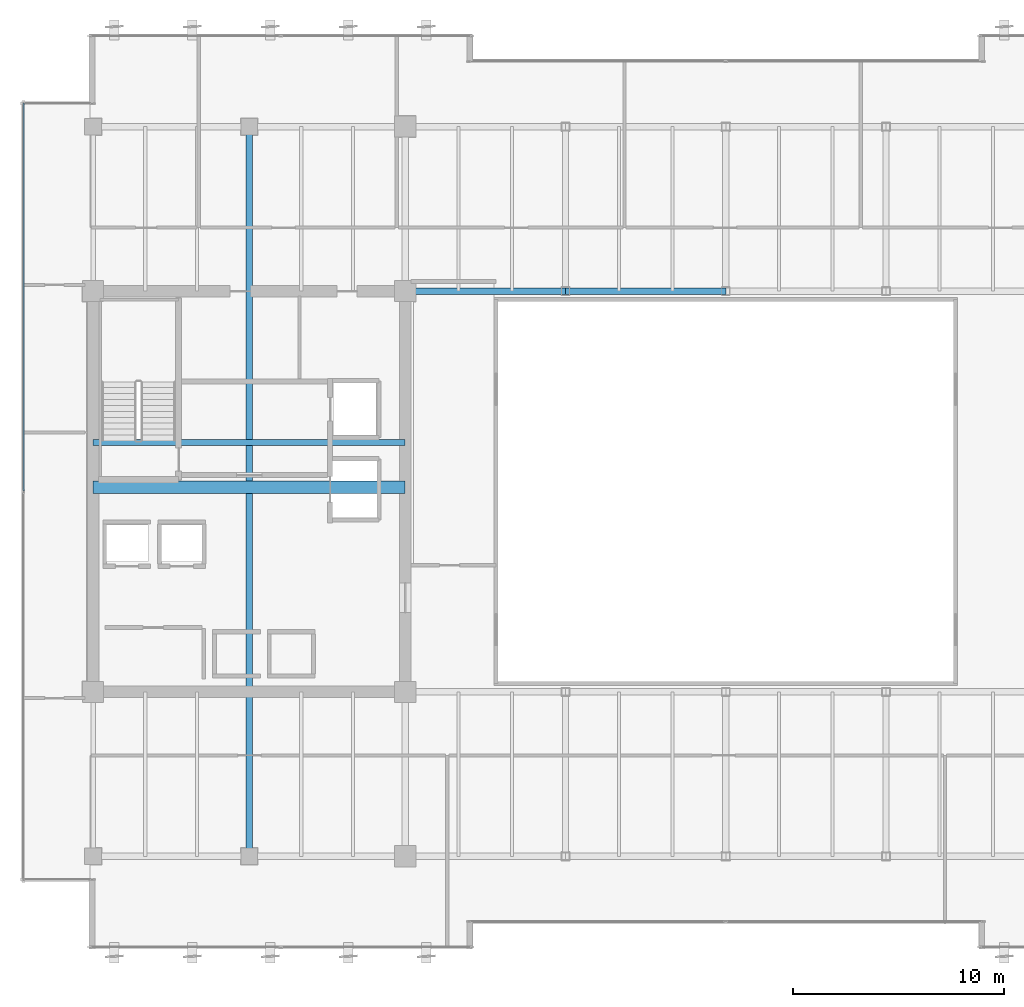
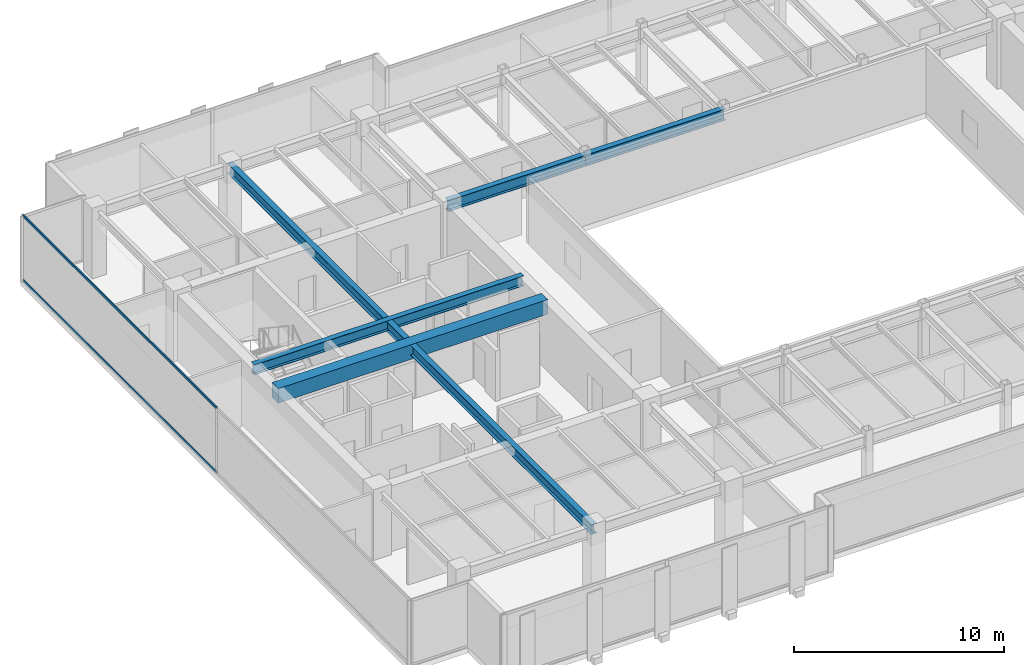
# One storey, part 10 of 35: 5 beams, 2 members, 1 element without a shape of its own.
"""IFC4 building model written with IfcOpenShell, lengths in metres."""

import ifcopenshell
import ifcopenshell.guid

model = None  # the IFC model being written
_history = None  # IfcOwnerHistory: only IFC2X3 demands one
_inside = {}  # id of a spatial element -> (the spatial element, [elements in it])
_under = {}  # id of a project, library or spatial element -> (it, [spatial elements below it])
_declared = {}  # id of a project -> (the project, [libraries it declares])
_typed = {}  # id of a type object -> (the type object, [elements of that type])
_made_of = {}  # id of a material, layer set ... -> (it, [elements and type objects made of it])


def new_model(schema):
    """Start an empty IFC model of exactly this schema.

    Asked for "IFC4X3", IfcOpenShell would pick the latest addendum, in which some entities
    have other attributes; the version numbers below select the first issue.
    IFC2X3 requires an IfcOwnerHistory on every rooted entity: one is made here for all.
    """
    global model, _history
    if schema == "IFC4X3":
        model = ifcopenshell.file(schema_version=(4, 3, 0, 0))
    else:
        model = ifcopenshell.file(schema=schema)
    _inside.clear()
    _under.clear()
    _declared.clear()
    _typed.clear()
    _made_of.clear()
    _history = None
    if model.schema == "IFC2X3":
        org = make("IfcOrganization", Name="unknown")
        user = make(
            "IfcPersonAndOrganization",
            ThePerson=make("IfcPerson", FamilyName="unknown"),
            TheOrganization=org,
        )
        app = make(
            "IfcApplication",
            ApplicationDeveloper=org,
            Version="unknown",
            ApplicationFullName="unknown",
            ApplicationIdentifier="unknown",
        )
        _history = make(
            "IfcOwnerHistory",
            OwningUser=user,
            OwningApplication=app,
            ChangeAction="ADDED",
            CreationDate=0,
        )
    return model


def make(cls, **values):
    """One entity of the class cls with the attributes given. An attribute that is None is left unset."""
    return model.create_entity(
        cls, **{name: value for name, value in values.items() if value is not None}
    )


def rooted(cls, **values):
    """An entity with a GlobalId (a new one), such as an element, a storey or a relation."""
    return make(cls, GlobalId=ifcopenshell.guid.new(), OwnerHistory=_history, **values)


def si_unit(unit_type, name, prefix=None):
    """IfcSIUnit, for example si_unit("LENGTHUNIT", "METRE", prefix="MILLI")."""
    return make("IfcSIUnit", UnitType=unit_type, Prefix=prefix, Name=name)


def assignment(units):
    """IfcUnitAssignment: the units of a project."""
    return None if units is None else make("IfcUnitAssignment", Units=units)


def point(xyz):
    """IfcCartesianPoint."""
    return None if xyz is None else make("IfcCartesianPoint", Coordinates=xyz)


def direction(xyz):
    """IfcDirection."""
    return None if xyz is None else make("IfcDirection", DirectionRatios=xyz)


def frame(location, z_axis=None, x_axis=None):
    """IfcAxis2Placement3D, a coordinate frame: its origin and axes. An axis left out is left unset."""
    return make(
        "IfcAxis2Placement3D",
        Location=point(location),
        Axis=direction(z_axis),
        RefDirection=direction(x_axis),
    )


def frame_2d(location, x_axis=None):
    """IfcAxis2Placement2D, a coordinate frame in the plane: its origin and x axis."""
    return make(
        "IfcAxis2Placement2D", Location=point(location), RefDirection=direction(x_axis)
    )


def origin():
    """The frame at (0, 0, 0) with its axes left unset."""
    return frame((0.0, 0.0, 0.0))


def origin_2d():
    """The frame at (0, 0) in the plane with its x axis left unset."""
    return frame_2d((0.0, 0.0))


def place(relative_to, where):
    """IfcLocalPlacement: puts the frame where relative to a parent placement (None: the world)."""
    return make(
        "IfcLocalPlacement", PlacementRelTo=relative_to, RelativePlacement=where
    )


def context(
    kind, dimensions, precision=None, world=None, true_north=None, identifier=None
):
    """IfcGeometricRepresentationContext, for example the 3D "Model" context."""
    return make(
        "IfcGeometricRepresentationContext",
        ContextIdentifier=identifier,
        ContextType=kind,
        CoordinateSpaceDimension=dimensions,
        Precision=precision,
        WorldCoordinateSystem=world,
        TrueNorth=true_north,
    )


def subcontext(parent, identifier, kind, view, scale=None):
    """IfcGeometricRepresentationSubContext, for example "Body" below "Model"."""
    return make(
        "IfcGeometricRepresentationSubContext",
        ContextIdentifier=identifier,
        ContextType=kind,
        ParentContext=parent,
        TargetScale=scale,
        TargetView=view,
    )


def project(units=None, contexts=None):
    """IfcProject with its units and contexts."""
    return rooted(
        "IfcProject",
        Name="project",
        RepresentationContexts=contexts,
        UnitsInContext=assignment(units),
    )


def spatial(cls, under=None, at=None, **own):
    """A site, building, storey or space (cls), placed at a placement, below another one or the project."""
    s = rooted(cls, ObjectPlacement=at, **own)
    if under is not None:
        _under.setdefault(under.id(), (under, []))[1].append(s)
    return s


def profile(cls, at=None, kind="AREA", **sizes):
    """A parametric profile (cls). Its sizes go by their IFC names, for example OverallWidth=200.0."""
    return make(cls, ProfileType=kind, Position=at, **sizes)


def rectangle(**sizes):
    """IfcRectangleProfileDef."""
    return profile("IfcRectangleProfileDef", **sizes)


def hollow_rectangle(**sizes):
    """IfcRectangleHollowProfileDef."""
    return profile("IfcRectangleHollowProfileDef", **sizes)


def i_section(**sizes):
    """IfcIShapeProfileDef."""
    return profile("IfcIShapeProfileDef", **sizes)


def extrude(swept, where, along, depth):
    """IfcExtrudedAreaSolid: the profile swept, set in the frame where, extruded along a direction by depth."""
    return make(
        "IfcExtrudedAreaSolid",
        SweptArea=swept,
        Position=where,
        ExtrudedDirection=direction(along),
        Depth=depth,
    )


def shape(context_of_items, identifier, shape_type, items):
    """IfcShapeRepresentation: the items that make up one representation, for example the "Body"."""
    return make(
        "IfcShapeRepresentation",
        ContextOfItems=context_of_items,
        RepresentationIdentifier=identifier,
        RepresentationType=shape_type,
        Items=items,
    )


def source(mapping_origin, context_of_items, identifier, shape_type, items):
    """IfcRepresentationMap: a shape defined once, which mapped items show again and again."""
    return make(
        "IfcRepresentationMap",
        MappingOrigin=mapping_origin,
        MappedRepresentation=shape(context_of_items, identifier, shape_type, items),
    )


def transform(
    local_origin,
    x_axis=None,
    y_axis=None,
    z_axis=None,
    scale=None,
    scale2=None,
    scale3=None,
    uniform=True,
):
    """IfcCartesianTransformationOperator3D, or its non-uniform kind. x_axis, y_axis, z_axis: its Axis1, 2, 3."""
    if uniform:
        return make(
            "IfcCartesianTransformationOperator3D",
            Axis1=direction(x_axis),
            Axis2=direction(y_axis),
            LocalOrigin=point(local_origin),
            Scale=scale,
            Axis3=direction(z_axis),
        )
    return make(
        "IfcCartesianTransformationOperator3DnonUniform",
        Axis1=direction(x_axis),
        Axis2=direction(y_axis),
        LocalOrigin=point(local_origin),
        Scale=scale,
        Axis3=direction(z_axis),
        Scale2=scale2,
        Scale3=scale3,
    )


def mapped(mapping_source, mapping_target):
    """IfcMappedItem: shows the shape of a source again, moved by a transform."""
    return make(
        "IfcMappedItem", MappingSource=mapping_source, MappingTarget=mapping_target
    )


def material(Name=None, Category=None):
    """IfcMaterial."""
    return make("IfcMaterial", Name=Name, Category=Category)


def layer(
    of_material, thickness, ventilated=None, Name=None, Category=None, Priority=None
):
    """IfcMaterialLayer: one layer of a wall or slab, of a material (None: an air gap)."""
    return make(
        "IfcMaterialLayer",
        Material=of_material,
        LayerThickness=thickness,
        IsVentilated=ventilated,
        Name=Name,
        Category=Category,
        Priority=Priority,
    )


def layer_set(layers, Name=None):
    """IfcMaterialLayerSet."""
    return make("IfcMaterialLayerSet", MaterialLayers=layers, LayerSetName=Name)


def material_profile(
    of_material, cross_section, Name=None, Category=None, Priority=None
):
    """IfcMaterialProfile: a cross section and its material."""
    return make(
        "IfcMaterialProfile",
        Name=Name,
        Material=of_material,
        Profile=cross_section,
        Priority=Priority,
        Category=Category,
    )


def profile_set(profiles, Name=None, composite=None):
    """IfcMaterialProfileSet."""
    return make(
        "IfcMaterialProfileSet",
        Name=Name,
        MaterialProfiles=profiles,
        CompositeProfile=composite,
    )


def made_of(thing, what):
    """Note that an element or type object is made of a material, layer set ...; save() writes the relation."""
    if what is not None:
        _made_of.setdefault(what.id(), (what, []))[1].append(thing)
    return thing


def type_object(cls, material=None, **own):
    """A type object (cls), such as IfcWallType, which elements share."""
    return made_of(rooted(cls, **own), material)


def type_shapes(of_type, sources):
    """Give a type object the sources (RepresentationMaps) that its elements show as mapped items."""
    of_type.RepresentationMaps = sources


def element(
    cls,
    number,
    at=None,
    inside=None,
    cuts=None,
    type_object=None,
    material=None,
    context=None,
    identifier="Body",
    shape_type=None,
    held_by="IfcProductDefinitionShape",
    body=None,
    shapes=None,
    **own,
):
    """One element of the class cls, such as IfcWall. Its Tag is "e" and its number.

    at: its placement. inside: the storey or other place that contains it. cuts: it is an
    opening in that element (IfcRelVoidsElement). A single representation is given by context,
    identifier, shape_type and body (its items); several are given by shapes. held_by: the class
    of the entity that holds the representations. save() writes the other relations.
    """
    e = rooted(cls, Tag="e%d" % number, ObjectPlacement=at, **own)
    if body is not None:
        shapes = [shape(context, identifier, shape_type, body)]
    if shapes is not None:
        e.Representation = make(held_by, Representations=shapes)
    if inside is not None:
        _inside.setdefault(inside.id(), (inside, []))[1].append(e)
    if cuts is not None:
        rooted(
            "IfcRelVoidsElement", RelatingBuildingElement=cuts, RelatedOpeningElement=e
        )
    if type_object is not None:
        _typed.setdefault(type_object.id(), (type_object, []))[1].append(e)
    return made_of(e, material)


def aggregate(whole, parts):
    """IfcRelAggregates: a whole, such as a stair, and the parts it consists of."""
    return rooted("IfcRelAggregates", RelatingObject=whole, RelatedObjects=parts)


def save(model, path):
    """Write the relations noted so far, then the file.

    IfcRelAggregates (storeys below a building ...), IfcRelContainedInSpatialStructure (elements
    in a storey), IfcRelDefinesByType, IfcRelAssociatesMaterial and IfcRelDeclares: one each for
    every whole, place, type object, material and project.
    """
    for whole, parts in _under.values():
        aggregate(whole, parts)
    for where, things in _inside.values():
        rooted(
            "IfcRelContainedInSpatialStructure",
            RelatedElements=things,
            RelatingStructure=where,
        )
    for kind, things in _typed.values():
        rooted("IfcRelDefinesByType", RelatedObjects=things, RelatingType=kind)
    for what, things in _made_of.values():
        rooted("IfcRelAssociatesMaterial", RelatedObjects=things, RelatingMaterial=what)
    for by, libraries in _declared.values():
        rooted("IfcRelDeclares", RelatingContext=by, RelatedDefinitions=libraries)
    model.write(path)


model = new_model("IFC4")

# Units and contexts
model_context = context("Model", 3, precision=1e-05, world=origin(), true_north=direction((0.0, 1.0)))
body_context = subcontext(model_context, "Body", "Model", "MODEL_VIEW")
ifc_project = project(units=[si_unit("LENGTHUNIT", "METRE"), si_unit("AREAUNIT", "SQUARE_METRE"), si_unit("VOLUMEUNIT", "CUBIC_METRE"), si_unit("PLANEANGLEUNIT", "RADIAN"), si_unit("MASSUNIT", "GRAM", prefix="KILO")], contexts=[model_context])

# Site, building, storey
site_placement = place(None, origin())
site = spatial("IfcSite", under=ifc_project, at=site_placement, CompositionType="ELEMENT")
building_placement = place(site_placement, origin())
building = spatial("IfcBuilding", under=site, at=building_placement, Name="Haelvirn Gate Laboratories", CompositionType="ELEMENT")
storey_placement = place(building_placement, frame((0.0, 0.0, 201.39990234375)))
storey = spatial("IfcBuildingStorey", under=building, at=storey_placement, Name="L48", CompositionType="ELEMENT", Elevation=201.39990234375)

# Beams
ifc_material_1 = material(Name="Steel SM355", Category="steel")
ifc_material_profile_1 = material_profile(ifc_material_1, i_section(OverallWidth=0.300048828125, OverallDepth=0.587890625, WebThickness=0.011962890625, FlangeThickness=0.02001953125, at=origin_2d()), Name="H-588x300x12x20")
ifc_profile_set_1 = profile_set([ifc_material_profile_1], Name="Steel SM355")
beam_type_1 = type_object("IfcBeamType", Name="BM-G-588", PredefinedType="BEAM", material=ifc_profile_set_1)
shared_shape_1 = source(origin(), body_context, "Body", "SweptSolid", [
    extrude(i_section(OverallWidth=0.300048828125, OverallDepth=0.587890625, WebThickness=0.011962890625, FlangeThickness=0.02001953125, at=origin_2d()), origin(), (0.0, 0.0, 1.0), 14.800048828125),
])
beam_1_placement = place(storey_placement, frame((7.39990234375, 26.6201171875, 3.506103515625), z_axis=(1.0, 0.0, 0.0), x_axis=(0.0, 1.0, 0.0)))
element("IfcBeam", 1, at=beam_1_placement, inside=storey, type_object=beam_type_1, Name="L48 Stair ST1 Landing Header", PredefinedType="BEAM", context=body_context, shape_type="MappedRepresentation", body=[
    mapped(shared_shape_1, transform((0.0, 0.0, 0.0), scale=1.0)),
])
shared_shape_2 = source(origin(), body_context, "Body", "SweptSolid", [
    extrude(i_section(OverallWidth=0.300048828125, OverallDepth=0.587890625, WebThickness=0.011962890625, FlangeThickness=0.02001953125, at=origin_2d()), origin(), (0.0, 0.0, 1.0), 34.60009765625),
])
type_shapes(beam_type_1, [shared_shape_1, shared_shape_2])
beam_2_placement = place(storey_placement, frame((14.800048828125, 7.0, 3.506103515625), z_axis=(0.0, 1.0, 0.0), x_axis=(-1.0, 0.0, 0.0)))
element("IfcBeam", 2, at=beam_2_placement, inside=storey, type_object=beam_type_1, Name="L48 Frame Girder X14.8 (7.0-41.6)", PredefinedType="BEAM", context=body_context, shape_type="MappedRepresentation", body=[
    mapped(shared_shape_2, transform((0.0, 0.0, 0.0), scale=1.0)),
])
ifc_material_2 = material(Name="Concrete C50/60", Category="concrete")
ifc_material_profile_2 = material_profile(ifc_material_2, rectangle(XDim=0.60009765625, YDim=0.85009765625, at=origin_2d()), Name="RCB-600x850")
ifc_profile_set_2 = profile_set([ifc_material_profile_2], Name="Concrete C50/60")
beam_type_2 = type_object("IfcBeamType", Name="BM-RCB-850", PredefinedType="LINTEL", material=ifc_profile_set_2)
shared_shape_3 = source(origin(), body_context, "Body", "SweptSolid", [
    extrude(rectangle(XDim=0.60009765625, YDim=0.85009765625, at=origin_2d()), origin(), (0.0, 0.0, 1.0), 14.800048828125),
])
type_shapes(beam_type_2, [shared_shape_3])
beam_3_placement = place(storey_placement, frame((7.39990234375, 24.5, 3.375), z_axis=(1.0, 0.0, 0.0), x_axis=(0.0, 1.0, 0.0)))
element("IfcBeam", 3, at=beam_3_placement, inside=storey, type_object=beam_type_2, Name="L48 West Core Coupling Beam", PredefinedType="LINTEL", context=body_context, shape_type="MappedRepresentation", body=[
    mapped(shared_shape_3, transform((0.0, 0.0, 0.0), scale=1.0)),
])
ifc_material_profile_3 = material_profile(ifc_material_1, i_section(OverallWidth=0.300048828125, OverallDepth=0.64990234375, WebThickness=0.012939453125, FlangeThickness=0.02197265625, at=origin_2d()), Name="H-650x300x13x22")
ifc_profile_set_3 = profile_set([ifc_material_profile_3], Name="Steel SM355")
beam_type_3 = type_object("IfcBeamType", Name="BM-G-650", PredefinedType="BEAM", material=ifc_profile_set_3)
shared_shape_4 = source(origin(), body_context, "Body", "SweptSolid", [
    extrude(i_section(OverallWidth=0.300048828125, OverallDepth=0.64990234375, WebThickness=0.012939453125, FlangeThickness=0.02197265625, at=origin_2d()), origin(), (0.0, 0.0, 1.0), 7.60009765625),
])
beam_4_placement = place(storey_placement, frame((22.199951171875, 33.800048828125, 3.47509765625), z_axis=(1.0, 0.0, 0.0), x_axis=(0.0, 1.0, 0.0)))
element("IfcBeam", 4, at=beam_4_placement, inside=storey, type_object=beam_type_3, Name="L48 Primary Girder Y33.8 (22.2-29.8)", PredefinedType="BEAM", context=body_context, shape_type="MappedRepresentation", body=[
    mapped(shared_shape_4, transform((0.0, 0.0, 0.0), scale=1.0)),
])
shared_shape_5 = source(origin(), body_context, "Body", "SweptSolid", [
    extrude(i_section(OverallWidth=0.300048828125, OverallDepth=0.64990234375, WebThickness=0.012939453125, FlangeThickness=0.02197265625, at=origin_2d()), origin(), (0.0, 0.0, 1.0), 7.599853515625),
])
type_shapes(beam_type_3, [shared_shape_4, shared_shape_5])
beam_5_placement = place(storey_placement, frame((29.800048828125, 33.800048828125, 3.47509765625), z_axis=(1.0, 0.0, 0.0), x_axis=(0.0, 1.0, 0.0)))
element("IfcBeam", 5, at=beam_5_placement, inside=storey, type_object=beam_type_3, Name="L48 Primary Girder Y33.8 (29.8-37.4)", PredefinedType="BEAM", context=body_context, shape_type="MappedRepresentation", body=[
    mapped(shared_shape_5, transform((0.0, 0.0, 0.0), scale=1.0)),
])

# Curtain wall, members
ifc_material_3 = material(Name="Anodised bronze unitised aluminium & triple low-E glass", Category="aluminium")
ifc_layer = layer(ifc_material_3, 0.176025390625, Name="CW-SYS-4")
ifc_layer_set = layer_set([ifc_layer], Name="Anodised bronze unitised aluminium & triple low-E glass")
curtain_wall_type = type_object("IfcCurtainWallType", Name="CW-SYS-4", PredefinedType="NOTDEFINED", material=ifc_layer_set)
curtain_wall_placement = place(storey_placement, origin())
curtain_wall = element("IfcCurtainWall", 6, at=curtain_wall_placement, inside=storey, type_object=curtain_wall_type, Name="L48 Unitised Curtain Wall CW-L48-P0-E17", PredefinedType="NOTDEFINED")
ifc_material_4 = material(Name="Extruded aluminium 6063-T6 (anodised bronze)", Category="aluminium")
ifc_material_profile_4 = material_profile(ifc_material_4, hollow_rectangle(XDim=0.06494140625, YDim=0.139892578125, WallThickness=0.00390625, at=origin_2d()), Name="CWT-140x65x4")
ifc_profile_set_4 = profile_set([ifc_material_profile_4], Name="Extruded aluminium 6063-T6 (anodised bronze)")
member_type = type_object("IfcMemberType", Name="CWT-T140", PredefinedType="USERDEFINED", material=ifc_profile_set_4)
shared_shape_6 = source(origin(), body_context, "Body", "SweptSolid", [
    extrude(hollow_rectangle(XDim=0.06494140625, YDim=0.139892578125, WallThickness=0.00390625, at=origin_2d()), origin(), (0.0, 0.0, 1.0), 18.39501953125),
])
type_shapes(member_type, [shared_shape_6])
member_1_placement = place(storey_placement, frame((4.10009765625, 42.72998046875, 0.03271484375), z_axis=(0.0, -1.0, 0.0), x_axis=(1.0, 0.0, 0.0)))
member_1 = element("IfcMember", 7, at=member_1_placement, type_object=member_type, Name="CW4 transom 1.1", ObjectType="TRANSOM", PredefinedType="USERDEFINED", context=body_context, shape_type="MappedRepresentation", body=[
    mapped(shared_shape_6, transform((0.0, 0.0, 0.0), scale=1.0)),
])
member_2_placement = place(storey_placement, frame((4.10009765625, 42.72998046875, 3.767578125), z_axis=(0.0, -1.0, 0.0), x_axis=(1.0, 0.0, 0.0)))
member_2 = element("IfcMember", 8, at=member_2_placement, type_object=member_type, Name="CW4 transom 1.2", ObjectType="TRANSOM", PredefinedType="USERDEFINED", context=body_context, shape_type="MappedRepresentation", body=[
    mapped(shared_shape_6, transform((0.0, 0.0, 0.0), scale=1.0)),
])
aggregate(curtain_wall, [member_1, member_2])

save(model, "model.ifc")
